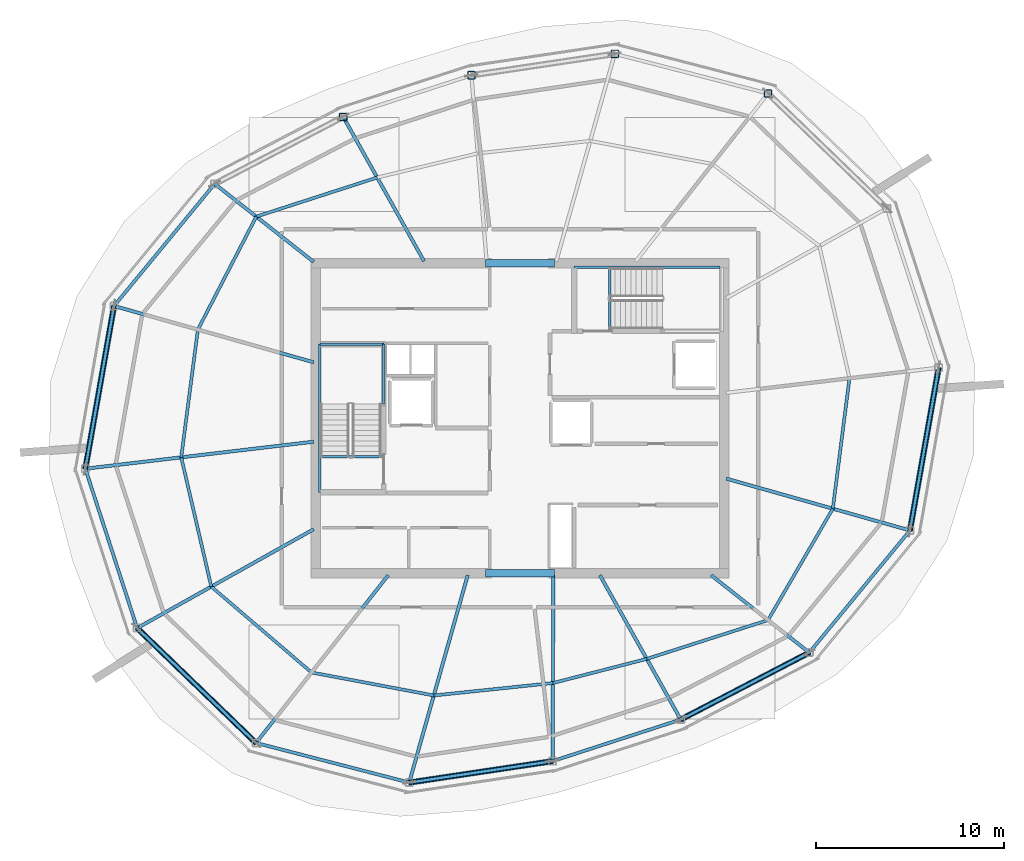
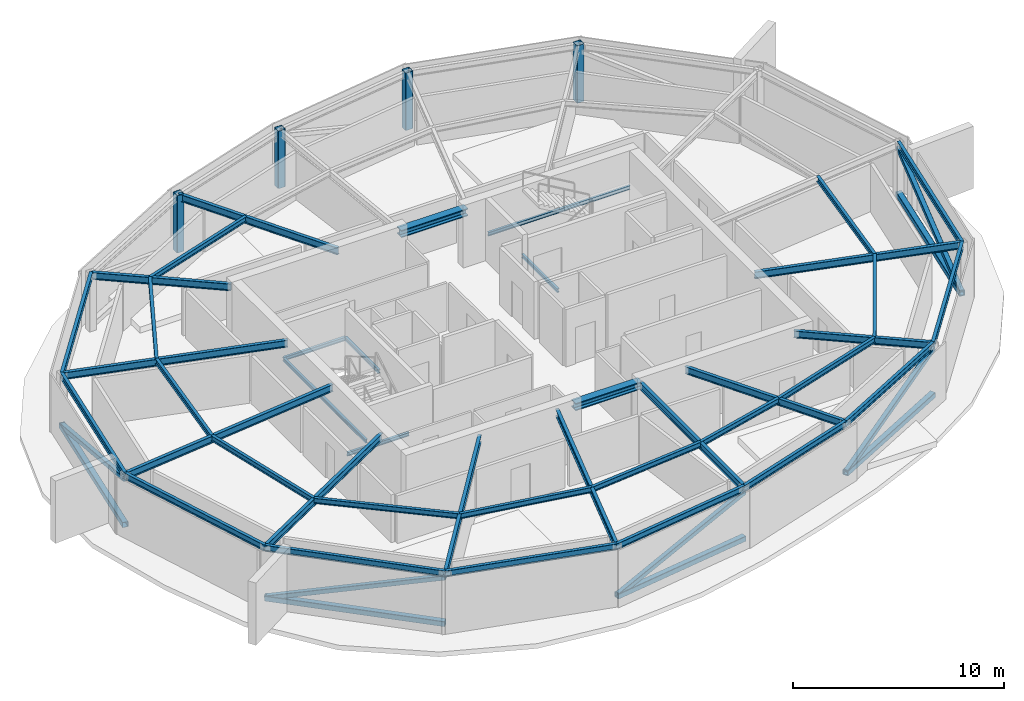
# One storey, part 4 of 10: 40 beams, 10 members, 4 columns.
"""IFC4 building model written with IfcOpenShell, lengths in metres."""

from ifc_helpers import new_model, si_unit, direction, frame, origin, origin_2d, place, context, subcontext, project, spatial, hollow_rectangle, i_section, extrude, material, material_profile, profile_set, type_object, element, save


model = new_model("IFC4")

# Units and contexts
model_context = context("Model", 3, precision=1e-05, world=origin(), true_north=direction((0.0, 1.0)))
body_context = subcontext(model_context, "Body", "Model", "MODEL_VIEW")
ifc_project = project(units=[si_unit("LENGTHUNIT", "METRE"), si_unit("AREAUNIT", "SQUARE_METRE"), si_unit("VOLUMEUNIT", "CUBIC_METRE"), si_unit("PLANEANGLEUNIT", "RADIAN"), si_unit("MASSUNIT", "GRAM", prefix="KILO")], contexts=[model_context])

# Site, building, storey
site_placement = place(None, origin())
site = spatial("IfcSite", under=ifc_project, at=site_placement, CompositionType="ELEMENT")
building_placement = place(site_placement, origin())
building = spatial("IfcBuilding", under=site, at=building_placement, Name="Kazma Halo Residences", CompositionType="ELEMENT")
storey_placement = place(building_placement, frame((0.0, 0.0, 363.199951171875)))
storey = spatial("IfcBuildingStorey", under=building, at=storey_placement, Name="L91", CompositionType="ELEMENT", Elevation=363.199951171875)

# Columns
ifc_material = material(Name="Steel S355", Category="steel")
ifc_material_profile_1 = material_profile(ifc_material, hollow_rectangle(XDim=0.39990234375, YDim=0.39990234375, WallThickness=0.02001953125, InnerFilletRadius=0.02001953125, OuterFilletRadius=0.0400390625, at=origin_2d()), Name="SHS400x400x20")
ifc_profile_set_1 = profile_set([ifc_material_profile_1], Name="Steel S355")
column_type = type_object("IfcColumnType", Name="COL-CROWN-SHS400", PredefinedType="COLUMN", material=ifc_profile_set_1)
for number, where, z_axis, x_axis, name in (
    (1, (61.617431640625, 59.273681640625, 0.0), (0.0, 0.0, 1.0), (1.0, 0.0, 0.0), "L91 CROWN FRAME perimeter column P02"),
    (2, (53.46630859375, 61.38232421875, 0.0), (0.0, 0.0, 1.0), (1.0, 0.0, 0.0), "L91 CROWN FRAME perimeter column P03"),
    (3, (45.8408203125, 60.24365234375, 0.0), (0.0, 0.0, 1.0), (1.0, 0.0, 0.0), "L91 CROWN FRAME perimeter column P04"),
    (4, (39.0234375, 58.02880859375, 0.0), (0.0, 0.0, 1.0), (1.0, 0.0, 0.0), "L91 CROWN FRAME perimeter column P05"),
):
    element("IfcColumn", number, at=place(storey_placement, frame(where, z_axis=z_axis, x_axis=x_axis)), inside=storey, type_object=column_type, Name=name, PredefinedType="COLUMN", context=body_context, shape_type="SweptSolid", body=[
        extrude(hollow_rectangle(XDim=0.39990234375, YDim=0.39990234375, WallThickness=0.02001953125, InnerFilletRadius=0.02001953125, OuterFilletRadius=0.0400390625, at=origin_2d()), origin(), (0.0, 0.0, 1.0), 3.320068359375),
    ])

# Beams
ifc_material_profile_2 = material_profile(ifc_material, i_section(OverallWidth=0.408935546875, OverallDepth=0.425048828125, WebThickness=0.03271484375, FlangeThickness=0.052490234375, FilletRadius=0.02001953125, at=origin_2d()), Name="W360x421")
ifc_profile_set_2 = profile_set([ifc_material_profile_2], Name="Steel S355")
beam_type_1 = type_object("IfcBeamType", Name="BM-CORE-W360H", PredefinedType="BEAM", material=ifc_profile_set_2)
for number, where, z_axis, x_axis, name in (
    (5, (46.60009765625, 33.75, 3.107666015625), (1.0, 0.0, 0.0), (0.0, 1.0, 0.0), "L91 core coupling beam S"),
    (6, (46.60009765625, 50.25, 3.107666015625), (1.0, 0.0, 0.0), (0.0, 1.0, 0.0), "L91 core coupling beam N"),
):
    element("IfcBeam", number, at=place(storey_placement, frame(where, z_axis=z_axis, x_axis=x_axis)), inside=storey, type_object=beam_type_1, Name=name, PredefinedType="BEAM", context=body_context, shape_type="SweptSolid", body=[
        extrude(i_section(OverallWidth=0.408935546875, OverallDepth=0.425048828125, WebThickness=0.03271484375, FlangeThickness=0.052490234375, FilletRadius=0.02001953125, at=origin_2d()), origin(), (0.0, 0.0, 1.0), 3.64990234375),
    ])
ifc_material_profile_3 = material_profile(ifc_material, i_section(OverallWidth=0.177978515625, OverallDepth=0.406982421875, WebThickness=0.0078125, FlangeThickness=0.0126953125, FilletRadius=0.013916015625, at=origin_2d()), Name="W410x60")
ifc_profile_set_3 = profile_set([ifc_material_profile_3], Name="Steel S355")
beam_type_2 = type_object("IfcBeamType", Name="BM-RAD-W410", PredefinedType="BEAM", material=ifc_profile_set_3)
beam_1_placement = place(storey_placement, frame((43.32373046875, 50.35009765625, 3.116455078125), z_axis=(-0.488621952621, 0.872495608824, 0.0), x_axis=(-0.872495608824, -0.488621952621, 0.0)))
element("IfcBeam", 7, at=beam_1_placement, inside=storey, type_object=beam_type_2, Name="L91 radial floor beam 05", PredefinedType="BEAM", context=body_context, shape_type="SweptSolid", body=[
    extrude(i_section(OverallWidth=0.177978515625, OverallDepth=0.406982421875, WebThickness=0.0078125, FlangeThickness=0.0126953125, FilletRadius=0.013916015625, at=origin_2d()), origin(), (0.0, 0.0, 1.0), 8.80078125),
])
beam_2_placement = place(storey_placement, frame((37.449951171875, 50.31689453125, 3.116455078125), z_axis=(-0.785321596803, 0.619088030569, 0.0), x_axis=(-0.619088030569, -0.785321596803, 0.0)))
element("IfcBeam", 8, at=beam_2_placement, inside=storey, type_object=beam_type_2, Name="L91 radial floor beam 06", PredefinedType="BEAM", context=body_context, shape_type="SweptSolid", body=[
    extrude(i_section(OverallWidth=0.177978515625, OverallDepth=0.406982421875, WebThickness=0.0078125, FlangeThickness=0.0126953125, FilletRadius=0.013916015625, at=origin_2d()), origin(), (0.0, 0.0, 1.0), 6.704345703125),
])
beam_3_placement = place(storey_placement, frame((37.449951171875, 44.975341796875, 3.116455078125), z_axis=(-0.962455160106, 0.271440720572, 0.0), x_axis=(-0.271440720572, -0.962455160106, 0.0)))
element("IfcBeam", 9, at=beam_3_placement, inside=storey, type_object=beam_type_2, Name="L91 radial floor beam 07", PredefinedType="BEAM", context=body_context, shape_type="SweptSolid", body=[
    extrude(i_section(OverallWidth=0.177978515625, OverallDepth=0.406982421875, WebThickness=0.0078125, FlangeThickness=0.0126953125, FilletRadius=0.013916015625, at=origin_2d()), origin(), (0.0, 0.0, 1.0), 11.0341796875),
])
beam_4_placement = place(storey_placement, frame((37.449951171875, 40.751220703125, 3.116455078125), z_axis=(-0.993069432883, -0.117529151591, 0.0), x_axis=(0.117529151591, -0.993069432883, 0.0)))
element("IfcBeam", 10, at=beam_4_placement, inside=storey, type_object=beam_type_2, Name="L91 radial floor beam 08", PredefinedType="BEAM", context=body_context, shape_type="SweptSolid", body=[
    extrude(i_section(OverallWidth=0.177978515625, OverallDepth=0.406982421875, WebThickness=0.0078125, FlangeThickness=0.0126953125, FilletRadius=0.013916015625, at=origin_2d()), origin(), (0.0, 0.0, 1.0), 12.23095703125),
])
beam_5_placement = place(storey_placement, frame((37.449951171875, 36.091796875, 3.116455078125), z_axis=(-0.872494798344, -0.488623399832, 0.0), x_axis=(0.488623399832, -0.872494798344, 0.0)))
element("IfcBeam", 11, at=beam_5_placement, inside=storey, type_object=beam_type_2, Name="L91 radial floor beam 09", PredefinedType="BEAM", context=body_context, shape_type="SweptSolid", body=[
    extrude(i_section(OverallWidth=0.177978515625, OverallDepth=0.406982421875, WebThickness=0.0078125, FlangeThickness=0.0126953125, FilletRadius=0.013916015625, at=origin_2d()), origin(), (0.0, 0.0, 1.0), 10.762939453125),
])
beam_6_placement = place(storey_placement, frame((41.41748046875, 33.64990234375, 3.116455078125), z_axis=(-0.619100773028, -0.785311551447, 0.0), x_axis=(0.785311551447, -0.619100773028, 0.0)))
element("IfcBeam", 12, at=beam_6_placement, inside=storey, type_object=beam_type_2, Name="L91 radial floor beam 10", PredefinedType="BEAM", context=body_context, shape_type="SweptSolid", body=[
    extrude(i_section(OverallWidth=0.177978515625, OverallDepth=0.406982421875, WebThickness=0.0078125, FlangeThickness=0.0126953125, FilletRadius=0.013916015625, at=origin_2d()), origin(), (0.0, 0.0, 1.0), 11.363037109375),
])
beam_7_placement = place(storey_placement, frame((45.64501953125, 33.64990234375, 3.116455078125), z_axis=(-0.271433859027, -0.962457095238, 0.0), x_axis=(0.962457095238, -0.271433859027, 0.0)))
element("IfcBeam", 13, at=beam_7_placement, inside=storey, type_object=beam_type_2, Name="L91 radial floor beam 11", PredefinedType="BEAM", context=body_context, shape_type="SweptSolid", body=[
    extrude(i_section(OverallWidth=0.177978515625, OverallDepth=0.406982421875, WebThickness=0.0078125, FlangeThickness=0.0126953125, FilletRadius=0.013916015625, at=origin_2d()), origin(), (0.0, 0.0, 1.0), 11.462646484375),
])
beam_8_placement = place(storey_placement, frame((50.199951171875, 33.64990234375, 3.116455078125), z_axis=(-0.004120979715, -0.999991508727, 0.0), x_axis=(0.999991508727, -0.004120979715, 0.0)))
element("IfcBeam", 14, at=beam_8_placement, inside=storey, type_object=beam_type_2, Name="L91 radial floor beam 12", PredefinedType="BEAM", context=body_context, shape_type="SweptSolid", body=[
    extrude(i_section(OverallWidth=0.177978515625, OverallDepth=0.406982421875, WebThickness=0.0078125, FlangeThickness=0.0126953125, FilletRadius=0.013916015625, at=origin_2d()), origin(), (0.0, 0.0, 1.0), 9.8935546875),
])
beam_9_placement = place(storey_placement, frame((52.67626953125, 33.64990234375, 3.116455078125), z_axis=(0.488621952621, -0.872495608824, 0.0), x_axis=(0.872495608824, 0.488621952621, 0.0)))
element("IfcBeam", 15, at=beam_9_placement, inside=storey, type_object=beam_type_2, Name="L91 radial floor beam 13", PredefinedType="BEAM", context=body_context, shape_type="SweptSolid", body=[
    extrude(i_section(OverallWidth=0.177978515625, OverallDepth=0.406982421875, WebThickness=0.0078125, FlangeThickness=0.0126953125, FilletRadius=0.013916015625, at=origin_2d()), origin(), (0.0, 0.0, 1.0), 8.80078125),
])
beam_10_placement = place(storey_placement, frame((58.591796875, 33.64990234375, 3.116455078125), z_axis=(0.785342950436, -0.619060942234, 0.0), x_axis=(0.619060942234, 0.785342950436, 0.0)))
element("IfcBeam", 16, at=beam_10_placement, inside=storey, type_object=beam_type_2, Name="L91 radial floor beam 14", PredefinedType="BEAM", context=body_context, shape_type="SweptSolid", body=[
    extrude(i_section(OverallWidth=0.177978515625, OverallDepth=0.406982421875, WebThickness=0.0078125, FlangeThickness=0.0126953125, FilletRadius=0.013916015625, at=origin_2d()), origin(), (0.0, 0.0, 1.0), 6.651123046875),
])
beam_11_placement = place(storey_placement, frame((59.39990234375, 38.784912109375, 3.116455078125), z_axis=(0.962456764872, -0.271435030445, 0.0), x_axis=(0.271435030445, 0.962456764872, 0.0)))
element("IfcBeam", 17, at=beam_11_placement, inside=storey, type_object=beam_type_2, Name="L91 radial floor beam 15", PredefinedType="BEAM", context=body_context, shape_type="SweptSolid", body=[
    extrude(i_section(OverallWidth=0.177978515625, OverallDepth=0.406982421875, WebThickness=0.0078125, FlangeThickness=0.0126953125, FilletRadius=0.013916015625, at=origin_2d()), origin(), (0.0, 0.0, 1.0), 10.151123046875),
])
ifc_material_profile_4 = material_profile(ifc_material, i_section(OverallWidth=0.1650390625, OverallDepth=0.31005859375, WebThickness=0.005859375, FlangeThickness=0.009765625, FilletRadius=0.011962890625, at=origin_2d()), Name="W310x38.7")
ifc_profile_set_4 = profile_set([ifc_material_profile_4], Name="Steel S355")
beam_type_3 = type_object("IfcBeamType", Name="BM-SEC-W310B", PredefinedType="JOIST", material=ifc_profile_set_4)
beam_12_placement = place(storey_placement, frame((40.82958984375, 54.8037109375, 3.1650390625), z_axis=(-0.951532506418, -0.307548190094, 0.0), x_axis=(0.307548190094, -0.951532506418, 0.0)))
element("IfcBeam", 18, at=beam_12_placement, inside=storey, type_object=beam_type_3, Name="L91 circumferential floor joist 05", PredefinedType="JOIST", context=body_context, shape_type="SweptSolid", body=[
    extrude(i_section(OverallWidth=0.1650390625, OverallDepth=0.31005859375, WebThickness=0.005859375, FlangeThickness=0.009765625, FilletRadius=0.011962890625, at=origin_2d()), origin(), (0.0, 0.0, 1.0), 6.760986328125),
])
beam_13_placement = place(storey_placement, frame((34.396240234375, 52.724365234375, 3.1650390625), z_axis=(-0.458980181698, -0.888446505316, 0.0), x_axis=(0.888446505316, -0.458980181698, 0.0)))
element("IfcBeam", 19, at=beam_13_placement, inside=storey, type_object=beam_type_3, Name="L91 circumferential floor joist 06", PredefinedType="JOIST", context=body_context, shape_type="SweptSolid", body=[
    extrude(i_section(OverallWidth=0.1650390625, OverallDepth=0.31005859375, WebThickness=0.005859375, FlangeThickness=0.009765625, FilletRadius=0.011962890625, at=origin_2d()), origin(), (0.0, 0.0, 1.0), 6.7666015625),
])
beam_14_placement = place(storey_placement, frame((31.29052734375, 46.712646484375, 3.1650390625), z_axis=(-0.129220381174, -0.991615899978, 0.0), x_axis=(0.991615899978, -0.129220381174, 0.0)))
element("IfcBeam", 20, at=beam_14_placement, inside=storey, type_object=beam_type_3, Name="L91 circumferential floor joist 07", PredefinedType="JOIST", context=body_context, shape_type="SweptSolid", body=[
    extrude(i_section(OverallWidth=0.1650390625, OverallDepth=0.31005859375, WebThickness=0.005859375, FlangeThickness=0.009765625, FilletRadius=0.011962890625, at=origin_2d()), origin(), (0.0, 0.0, 1.0), 6.8525390625),
])
beam_15_placement = place(storey_placement, frame((30.405029296875, 39.91748046875, 3.1650390625), z_axis=(0.22642269465, -0.97402913886, 0.0), x_axis=(0.97402913886, 0.22642269465, 0.0)))
element("IfcBeam", 21, at=beam_15_placement, inside=storey, type_object=beam_type_3, Name="L91 circumferential floor joist 08", PredefinedType="JOIST", context=body_context, shape_type="SweptSolid", body=[
    extrude(i_section(OverallWidth=0.1650390625, OverallDepth=0.31005859375, WebThickness=0.005859375, FlangeThickness=0.009765625, FilletRadius=0.011962890625, at=origin_2d()), origin(), (0.0, 0.0, 1.0), 7.059326171875),
])
beam_16_placement = place(storey_placement, frame((32.00341796875, 33.04150390625, 3.1650390625), z_axis=(0.759582919789, -0.650410476518, 0.0), x_axis=(0.650410476518, 0.759582919789, 0.0)))
element("IfcBeam", 22, at=beam_16_placement, inside=storey, type_object=beam_type_3, Name="L91 circumferential floor joist 09", PredefinedType="JOIST", context=body_context, shape_type="SweptSolid", body=[
    extrude(i_section(OverallWidth=0.1650390625, OverallDepth=0.31005859375, WebThickness=0.005859375, FlangeThickness=0.009765625, FilletRadius=0.011962890625, at=origin_2d()), origin(), (0.0, 0.0, 1.0), 7.02197265625),
])
beam_17_placement = place(storey_placement, frame((37.337158203125, 28.474365234375, 3.1650390625), z_axis=(0.982768028721, -0.184843181435, 0.0), x_axis=(0.184843181435, 0.982768028721, 0.0)))
element("IfcBeam", 23, at=beam_17_placement, inside=storey, type_object=beam_type_3, Name="L91 circumferential floor joist 10", PredefinedType="JOIST", context=body_context, shape_type="SweptSolid", body=[
    extrude(i_section(OverallWidth=0.1650390625, OverallDepth=0.31005859375, WebThickness=0.005859375, FlangeThickness=0.009765625, FilletRadius=0.011962890625, at=origin_2d()), origin(), (0.0, 0.0, 1.0), 6.6171875),
])
beam_18_placement = place(storey_placement, frame((43.84033203125, 27.251220703125, 3.1650390625), z_axis=(0.994612236518, 0.10366532192, 0.0), x_axis=(-0.10366532192, 0.994612236518, 0.0)))
element("IfcBeam", 24, at=beam_18_placement, inside=storey, type_object=beam_type_3, Name="L91 circumferential floor joist 11", PredefinedType="JOIST", context=body_context, shape_type="SweptSolid", body=[
    extrude(i_section(OverallWidth=0.1650390625, OverallDepth=0.31005859375, WebThickness=0.005859375, FlangeThickness=0.009765625, FilletRadius=0.011962890625, at=origin_2d()), origin(), (0.0, 0.0, 1.0), 6.37060546875),
])
beam_19_placement = place(storey_placement, frame((50.176513671875, 27.91162109375, 3.1650390625), z_axis=(0.96846845721, 0.249136202485, 0.0), x_axis=(-0.249136202485, 0.96846845721, 0.0)))
element("IfcBeam", 25, at=beam_19_placement, inside=storey, type_object=beam_type_3, Name="L91 circumferential floor joist 12", PredefinedType="JOIST", context=body_context, shape_type="SweptSolid", body=[
    extrude(i_section(OverallWidth=0.1650390625, OverallDepth=0.31005859375, WebThickness=0.005859375, FlangeThickness=0.009765625, FilletRadius=0.011962890625, at=origin_2d()), origin(), (0.0, 0.0, 1.0), 5.156494140625),
])
beam_20_placement = place(storey_placement, frame((55.17041015625, 29.1962890625, 3.1650390625), z_axis=(0.952375588957, 0.304927429988, 0.0), x_axis=(-0.304927429988, 0.952375588957, 0.0)))
element("IfcBeam", 26, at=beam_20_placement, inside=storey, type_object=beam_type_3, Name="L91 circumferential floor joist 13", PredefinedType="JOIST", context=body_context, shape_type="SweptSolid", body=[
    extrude(i_section(OverallWidth=0.1650390625, OverallDepth=0.31005859375, WebThickness=0.005859375, FlangeThickness=0.009765625, FilletRadius=0.011962890625, at=origin_2d()), origin(), (0.0, 0.0, 1.0), 6.7734375),
])
beam_21_placement = place(storey_placement, frame((61.621337890625, 31.26171875, 3.1650390625), z_axis=(0.502650174973, 0.864489908327, 0.0), x_axis=(-0.864489908327, 0.502650174973, 0.0)))
element("IfcBeam", 27, at=beam_21_placement, inside=storey, type_object=beam_type_3, Name="L91 circumferential floor joist 14", PredefinedType="JOIST", context=body_context, shape_type="SweptSolid", body=[
    extrude(i_section(OverallWidth=0.1650390625, OverallDepth=0.31005859375, WebThickness=0.005859375, FlangeThickness=0.009765625, FilletRadius=0.011962890625, at=origin_2d()), origin(), (0.0, 0.0, 1.0), 6.853759765625),
])
beam_22_placement = place(storey_placement, frame((65.06640625, 37.186767578125, 3.1650390625), z_axis=(0.126603386769, 0.991953417484, 0.0), x_axis=(-0.991953417484, 0.126603386769, 0.0)))
element("IfcBeam", 28, at=beam_22_placement, inside=storey, type_object=beam_type_3, Name="L91 circumferential floor joist 15", PredefinedType="JOIST", context=body_context, shape_type="SweptSolid", body=[
    extrude(i_section(OverallWidth=0.1650390625, OverallDepth=0.31005859375, WebThickness=0.005859375, FlangeThickness=0.009765625, FilletRadius=0.011962890625, at=origin_2d()), origin(), (0.0, 0.0, 1.0), 6.994384765625),
])
ifc_material_profile_5 = material_profile(ifc_material, i_section(OverallWidth=0.1708984375, OverallDepth=0.35498046875, WebThickness=0.007080078125, FlangeThickness=0.01171875, FilletRadius=0.013916015625, at=origin_2d()), Name="W360x51")
ifc_profile_set_5 = profile_set([ifc_material_profile_5], Name="Steel S355")
beam_type_4 = type_object("IfcBeamType", Name="BM-SPN-W360", PredefinedType="BEAM", material=ifc_profile_set_5)
beam_23_placement = place(storey_placement, frame((32.184814453125, 54.467529296875, 3.142578125), z_axis=(-0.636005014199, -0.77168492399, 0.0), x_axis=(0.77168492399, -0.636005014199, 0.0)))
element("IfcBeam", 29, at=beam_23_placement, inside=storey, type_object=beam_type_4, Name="L91 CROWN FRAME ring beam 06", PredefinedType="BEAM", context=body_context, shape_type="SweptSolid", body=[
    extrude(i_section(OverallWidth=0.1708984375, OverallDepth=0.35498046875, WebThickness=0.007080078125, FlangeThickness=0.01171875, FilletRadius=0.013916015625, at=origin_2d()), origin(), (0.0, 0.0, 1.0), 8.41943359375),
])
beam_24_placement = place(storey_placement, frame((26.830078125, 47.970458984375, 3.142578125), z_axis=(-0.173642734291, -0.984808712811, 0.0), x_axis=(0.984808712811, -0.173642734291, 0.0)))
element("IfcBeam", 30, at=beam_24_placement, inside=storey, type_object=beam_type_4, Name="L91 CROWN FRAME ring beam 07", PredefinedType="BEAM", context=body_context, shape_type="SweptSolid", body=[
    extrude(i_section(OverallWidth=0.1708984375, OverallDepth=0.35498046875, WebThickness=0.007080078125, FlangeThickness=0.01171875, FilletRadius=0.013916015625, at=origin_2d()), origin(), (0.0, 0.0, 1.0), 8.790283203125),
])
beam_25_placement = place(storey_placement, frame((25.3037109375, 39.313720703125, 3.142578125), z_axis=(0.309015498459, -0.951057002346, 0.0), x_axis=(0.951057002346, 0.309015498459, 0.0)))
element("IfcBeam", 31, at=beam_25_placement, inside=storey, type_object=beam_type_4, Name="L91 CROWN FRAME ring beam 08", PredefinedType="BEAM", context=body_context, shape_type="SweptSolid", body=[
    extrude(i_section(OverallWidth=0.1708984375, OverallDepth=0.35498046875, WebThickness=0.007080078125, FlangeThickness=0.01171875, FilletRadius=0.013916015625, at=origin_2d()), origin(), (0.0, 0.0, 1.0), 8.91748046875),
])
beam_26_placement = place(storey_placement, frame((28.059326171875, 30.832763671875, 3.142578125), z_axis=(0.719330630477, -0.694667866003, 0.0), x_axis=(0.694667866003, 0.719330630477, 0.0)))
element("IfcBeam", 32, at=beam_26_placement, inside=storey, type_object=beam_type_4, Name="L91 CROWN FRAME ring beam 09", PredefinedType="BEAM", context=body_context, shape_type="SweptSolid", body=[
    extrude(i_section(OverallWidth=0.1708984375, OverallDepth=0.35498046875, WebThickness=0.007080078125, FlangeThickness=0.01171875, FilletRadius=0.013916015625, at=origin_2d()), origin(), (0.0, 0.0, 1.0), 8.79052734375),
])
beam_27_placement = place(storey_placement, frame((34.382568359375, 24.726318359375, 3.142578125), z_axis=(0.968129821283, -0.250448895271, 0.0), x_axis=(0.250448895271, 0.968129821283, 0.0)))
element("IfcBeam", 33, at=beam_27_placement, inside=storey, type_object=beam_type_4, Name="L91 CROWN FRAME ring beam 10", PredefinedType="BEAM", context=body_context, shape_type="SweptSolid", body=[
    extrude(i_section(OverallWidth=0.1708984375, OverallDepth=0.35498046875, WebThickness=0.007080078125, FlangeThickness=0.01171875, FilletRadius=0.013916015625, at=origin_2d()), origin(), (0.0, 0.0, 1.0), 8.41943359375),
])
beam_28_placement = place(storey_placement, frame((42.53369140625, 22.61767578125, 3.142578125), z_axis=(0.989034152337, 0.147686984904, 0.0), x_axis=(-0.147686984904, 0.989034152337, 0.0)))
element("IfcBeam", 34, at=beam_28_placement, inside=storey, type_object=beam_type_4, Name="L91 CROWN FRAME ring beam 11", PredefinedType="BEAM", context=body_context, shape_type="SweptSolid", body=[
    extrude(i_section(OverallWidth=0.1708984375, OverallDepth=0.35498046875, WebThickness=0.007080078125, FlangeThickness=0.01171875, FilletRadius=0.013916015625, at=origin_2d()), origin(), (0.0, 0.0, 1.0), 7.7099609375),
])
beam_29_placement = place(storey_placement, frame((50.1591796875, 23.75634765625, 3.142578125), z_axis=(0.951067102, 0.308984413026, 0.0), x_axis=(-0.308984413026, 0.951067102, 0.0)))
element("IfcBeam", 35, at=beam_29_placement, inside=storey, type_object=beam_type_4, Name="L91 CROWN FRAME ring beam 12", PredefinedType="BEAM", context=body_context, shape_type="SweptSolid", body=[
    extrude(i_section(OverallWidth=0.1708984375, OverallDepth=0.35498046875, WebThickness=0.007080078125, FlangeThickness=0.01171875, FilletRadius=0.013916015625, at=origin_2d()), origin(), (0.0, 0.0, 1.0), 7.168212890625),
])
beam_30_placement = place(storey_placement, frame((56.9765625, 25.97119140625, 3.142578125), z_axis=(0.886940838721, 0.461883046461, 0.0), x_axis=(-0.461883046461, 0.886940838721, 0.0)))
element("IfcBeam", 36, at=beam_30_placement, inside=storey, type_object=beam_type_4, Name="L91 CROWN FRAME ring beam 13", PredefinedType="BEAM", context=body_context, shape_type="SweptSolid", body=[
    extrude(i_section(OverallWidth=0.1708984375, OverallDepth=0.35498046875, WebThickness=0.007080078125, FlangeThickness=0.01171875, FilletRadius=0.013916015625, at=origin_2d()), origin(), (0.0, 0.0, 1.0), 7.71044921875),
])
beam_31_placement = place(storey_placement, frame((63.815185546875, 29.532470703125, 3.142578125), z_axis=(0.636005014199, 0.77168492399, 0.0), x_axis=(-0.77168492399, 0.636005014199, 0.0)))
element("IfcBeam", 37, at=beam_31_placement, inside=storey, type_object=beam_type_4, Name="L91 CROWN FRAME ring beam 14", PredefinedType="BEAM", context=body_context, shape_type="SweptSolid", body=[
    extrude(i_section(OverallWidth=0.1708984375, OverallDepth=0.35498046875, WebThickness=0.007080078125, FlangeThickness=0.01171875, FilletRadius=0.013916015625, at=origin_2d()), origin(), (0.0, 0.0, 1.0), 8.41943359375),
])
beam_32_placement = place(storey_placement, frame((69.169921875, 36.029541015625, 3.142578125), z_axis=(0.173642734291, 0.984808712811, 0.0), x_axis=(-0.984808712811, 0.173642734291, 0.0)))
element("IfcBeam", 38, at=beam_32_placement, inside=storey, type_object=beam_type_4, Name="L91 CROWN FRAME ring beam 15", PredefinedType="BEAM", context=body_context, shape_type="SweptSolid", body=[
    extrude(i_section(OverallWidth=0.1708984375, OverallDepth=0.35498046875, WebThickness=0.007080078125, FlangeThickness=0.01171875, FilletRadius=0.013916015625, at=origin_2d()), origin(), (0.0, 0.0, 1.0), 8.790283203125),
])
ifc_material_profile_6 = material_profile(ifc_material, i_section(OverallWidth=0.133056640625, OverallDepth=0.20703125, WebThickness=0.005859375, FlangeThickness=0.00830078125, FilletRadius=0.010009765625, at=origin_2d()), Name="W200x26.6")
ifc_profile_set_6 = profile_set([ifc_material_profile_6], Name="Steel S355")
beam_type_5 = type_object("IfcBeamType", Name="BM-TRIM-W200", PredefinedType="BEAM", material=ifc_profile_set_6)
for number, where, z_axis, x_axis, name in (
    (39, (37.800048828125, 39.949951171875, -0.389892578125), (1.0, 0.0, 0.0), (0.0, 1.0, 0.0), "L91 ST-01 floor landing support beam"),
    (40, (53.199951171875, 46.6201171875, -0.389892578125), (0.0, 1.0, 0.0), (-1.0, 0.0, 0.0), "L91 ST-02 floor landing support beam"),
):
    element("IfcBeam", number, at=place(storey_placement, frame(where, z_axis=z_axis, x_axis=x_axis)), inside=storey, type_object=beam_type_5, Name=name, PredefinedType="BEAM", context=body_context, shape_type="SweptSolid", body=[
        extrude(i_section(OverallWidth=0.133056640625, OverallDepth=0.20703125, WebThickness=0.005859375, FlangeThickness=0.00830078125, FilletRadius=0.010009765625, at=origin_2d()), origin(), (0.0, 0.0, 1.0), 3.3798828125),
    ])
beam_33_placement = place(storey_placement, frame((37.780029296875, 38.06005859375, 1.4951171875), z_axis=(0.0, 1.0, 0.0), x_axis=(-1.0, 0.0, 0.0)))
element("IfcBeam", 41, at=beam_33_placement, inside=storey, type_object=beam_type_5, Name="L91 ST-01 landing west wall ledger", PredefinedType="BEAM", context=body_context, shape_type="SweptSolid", body=[
    extrude(i_section(OverallWidth=0.133056640625, OverallDepth=0.20703125, WebThickness=0.005859375, FlangeThickness=0.00830078125, FilletRadius=0.010009765625, at=origin_2d()), origin(), (0.0, 0.0, 1.0), 7.8798828125),
])
beam_34_placement = place(storey_placement, frame((41.179931640625, 42.75, 1.4951171875), z_axis=(0.0, 1.0, 0.0), x_axis=(-1.0, 0.0, 0.0)))
element("IfcBeam", 42, at=beam_34_placement, inside=storey, type_object=beam_type_5, Name="L91 ST-01 landing east wall ledger", PredefinedType="BEAM", context=body_context, shape_type="SweptSolid", body=[
    extrude(i_section(OverallWidth=0.133056640625, OverallDepth=0.20703125, WebThickness=0.005859375, FlangeThickness=0.00830078125, FilletRadius=0.010009765625, at=origin_2d()), origin(), (0.0, 0.0, 1.0), 3.18994140625),
])
beam_35_placement = place(storey_placement, frame((37.780029296875, 45.93994140625, 1.4951171875), z_axis=(1.0, 0.0, 0.0), x_axis=(0.0, 1.0, 0.0)))
element("IfcBeam", 43, at=beam_35_placement, inside=storey, type_object=beam_type_5, Name="L91 ST-01 landing end wall ledger", PredefinedType="BEAM", context=body_context, shape_type="SweptSolid", body=[
    extrude(i_section(OverallWidth=0.133056640625, OverallDepth=0.20703125, WebThickness=0.005859375, FlangeThickness=0.00830078125, FilletRadius=0.010009765625, at=origin_2d()), origin(), (0.0, 0.0, 1.0), 3.39990234375),
])
beam_36_placement = place(storey_placement, frame((51.31005859375, 50.02001953125, 1.4951171875), z_axis=(1.0, 0.0, 0.0), x_axis=(0.0, 1.0, 0.0)))
element("IfcBeam", 44, at=beam_36_placement, inside=storey, type_object=beam_type_5, Name="L91 ST-02 landing north wall ledger", PredefinedType="BEAM", context=body_context, shape_type="SweptSolid", body=[
    extrude(i_section(OverallWidth=0.133056640625, OverallDepth=0.20703125, WebThickness=0.005859375, FlangeThickness=0.00830078125, FilletRadius=0.010009765625, at=origin_2d()), origin(), (0.0, 0.0, 1.0), 7.760009765625),
])

# Members
ifc_material_profile_7 = material_profile(ifc_material, hollow_rectangle(XDim=0.25, YDim=0.25, WallThickness=0.010009765625, InnerFilletRadius=0.010009765625, OuterFilletRadius=0.02001953125, at=origin_2d()), Name="SHS250x250x10")
ifc_profile_set_7 = profile_set([ifc_material_profile_7], Name="Steel S355")
member_type_1 = type_object("IfcMemberType", Name="MBR-CRWN-SHS250", PredefinedType="BRACE", material=ifc_profile_set_7)
member_1_placement = place(storey_placement, frame((26.830078125, 47.970458984375, 0.280029296875), z_axis=(-0.166200300203, -0.942599207388, 0.289627682455), x_axis=(0.984808712811, -0.173642734291, 0.0)))
element("IfcMember", 45, at=member_1_placement, inside=storey, type_object=member_type_1, Name="L91 CROWN FRAME diagonal brace 07", PredefinedType="BRACE", context=body_context, shape_type="SweptSolid", body=[
    extrude(hollow_rectangle(XDim=0.25, YDim=0.25, WallThickness=0.010009765625, InnerFilletRadius=0.010009765625, OuterFilletRadius=0.02001953125, at=origin_2d()), origin(), (0.0, 0.0, 1.0), 9.183837890625),
])
member_2_placement = place(storey_placement, frame((28.059326171875, 30.832763671875, 0.280029296875), z_axis=(0.688500856282, -0.664895112638, 0.289622271397), x_axis=(0.694667866003, 0.719330630477, 0.0)))
element("IfcMember", 46, at=member_2_placement, inside=storey, type_object=member_type_1, Name="L91 CROWN FRAME diagonal brace 09", PredefinedType="BRACE", context=body_context, shape_type="SweptSolid", body=[
    extrude(hollow_rectangle(XDim=0.25, YDim=0.25, WallThickness=0.010009765625, InnerFilletRadius=0.010009765625, OuterFilletRadius=0.02001953125, at=origin_2d()), origin(), (0.0, 0.0, 1.0), 9.18408203125),
])
member_3_placement = place(storey_placement, frame((42.53369140625, 22.61767578125, 0.280029296875), z_axis=(0.934958348146, 0.139612144962, 0.326130857497), x_axis=(-0.147686984904, 0.989034152337, 0.0)))
element("IfcMember", 47, at=member_3_placement, inside=storey, type_object=member_type_1, Name="L91 CROWN FRAME diagonal brace 11", PredefinedType="BRACE", context=body_context, shape_type="SweptSolid", body=[
    extrude(hollow_rectangle(XDim=0.25, YDim=0.25, WallThickness=0.010009765625, InnerFilletRadius=0.010009765625, OuterFilletRadius=0.02001953125, at=origin_2d()), origin(), (0.0, 0.0, 1.0), 8.156005859375),
])
member_4_placement = place(storey_placement, frame((56.9765625, 25.97119140625, 0.280029296875), z_axis=(0.838450646682, 0.436631308527, 0.326119017372), x_axis=(-0.461883046461, 0.886940838721, 0.0)))
element("IfcMember", 48, at=member_4_placement, inside=storey, type_object=member_type_1, Name="L91 CROWN FRAME diagonal brace 13", PredefinedType="BRACE", context=body_context, shape_type="SweptSolid", body=[
    extrude(hollow_rectangle(XDim=0.25, YDim=0.25, WallThickness=0.010009765625, InnerFilletRadius=0.010009765625, OuterFilletRadius=0.02001953125, at=origin_2d()), origin(), (0.0, 0.0, 1.0), 8.15625),
])
member_5_placement = place(storey_placement, frame((69.169921875, 36.029541015625, 0.280029296875), z_axis=(0.166200300203, 0.942599207388, 0.289627682455), x_axis=(-0.984808712811, 0.173642734291, 0.0)))
element("IfcMember", 49, at=member_5_placement, inside=storey, type_object=member_type_1, Name="L91 CROWN FRAME diagonal brace 15", PredefinedType="BRACE", context=body_context, shape_type="SweptSolid", body=[
    extrude(hollow_rectangle(XDim=0.25, YDim=0.25, WallThickness=0.010009765625, InnerFilletRadius=0.010009765625, OuterFilletRadius=0.02001953125, at=origin_2d()), origin(), (0.0, 0.0, 1.0), 9.183837890625),
])
ifc_material_profile_8 = material_profile(ifc_material, hollow_rectangle(XDim=0.300048828125, YDim=0.300048828125, WallThickness=0.012451171875, InnerFilletRadius=0.012451171875, OuterFilletRadius=0.02490234375, at=origin_2d()), Name="SHS300x300x12.5")
ifc_profile_set_8 = profile_set([ifc_material_profile_8], Name="Steel S355")
member_type_2 = type_object("IfcMemberType", Name="MBR-CRWN-SHS300", PredefinedType="CHORD", material=ifc_profile_set_8)
member_6_placement = place(storey_placement, frame((26.830078125, 47.970458984375, 0.280029296875), z_axis=(-0.173642734291, -0.984808712811, 0.0), x_axis=(0.984808712811, -0.173642734291, 0.0)))
element("IfcMember", 50, at=member_6_placement, inside=storey, type_object=member_type_2, Name="L91 CROWN FRAME horizontal ring chord 07", PredefinedType="CHORD", context=body_context, shape_type="SweptSolid", body=[
    extrude(hollow_rectangle(XDim=0.300048828125, YDim=0.300048828125, WallThickness=0.012451171875, InnerFilletRadius=0.012451171875, OuterFilletRadius=0.02490234375, at=origin_2d()), origin(), (0.0, 0.0, 1.0), 8.790283203125),
])
member_7_placement = place(storey_placement, frame((28.059326171875, 30.832763671875, 0.280029296875), z_axis=(0.719330630477, -0.694667866003, 0.0), x_axis=(0.694667866003, 0.719330630477, 0.0)))
element("IfcMember", 51, at=member_7_placement, inside=storey, type_object=member_type_2, Name="L91 CROWN FRAME horizontal ring chord 09", PredefinedType="CHORD", context=body_context, shape_type="SweptSolid", body=[
    extrude(hollow_rectangle(XDim=0.300048828125, YDim=0.300048828125, WallThickness=0.012451171875, InnerFilletRadius=0.012451171875, OuterFilletRadius=0.02490234375, at=origin_2d()), origin(), (0.0, 0.0, 1.0), 8.79052734375),
])
member_8_placement = place(storey_placement, frame((42.53369140625, 22.61767578125, 0.280029296875), z_axis=(0.989034152337, 0.147686984904, 0.0), x_axis=(-0.147686984904, 0.989034152337, 0.0)))
element("IfcMember", 52, at=member_8_placement, inside=storey, type_object=member_type_2, Name="L91 CROWN FRAME horizontal ring chord 11", PredefinedType="CHORD", context=body_context, shape_type="SweptSolid", body=[
    extrude(hollow_rectangle(XDim=0.300048828125, YDim=0.300048828125, WallThickness=0.012451171875, InnerFilletRadius=0.012451171875, OuterFilletRadius=0.02490234375, at=origin_2d()), origin(), (0.0, 0.0, 1.0), 7.7099609375),
])
member_9_placement = place(storey_placement, frame((56.9765625, 25.97119140625, 0.280029296875), z_axis=(0.886940838721, 0.461883046461, 0.0), x_axis=(-0.461883046461, 0.886940838721, 0.0)))
element("IfcMember", 53, at=member_9_placement, inside=storey, type_object=member_type_2, Name="L91 CROWN FRAME horizontal ring chord 13", PredefinedType="CHORD", context=body_context, shape_type="SweptSolid", body=[
    extrude(hollow_rectangle(XDim=0.300048828125, YDim=0.300048828125, WallThickness=0.012451171875, InnerFilletRadius=0.012451171875, OuterFilletRadius=0.02490234375, at=origin_2d()), origin(), (0.0, 0.0, 1.0), 7.71044921875),
])
member_10_placement = place(storey_placement, frame((69.169921875, 36.029541015625, 0.280029296875), z_axis=(0.173642734291, 0.984808712811, 0.0), x_axis=(-0.984808712811, 0.173642734291, 0.0)))
element("IfcMember", 54, at=member_10_placement, inside=storey, type_object=member_type_2, Name="L91 CROWN FRAME horizontal ring chord 15", PredefinedType="CHORD", context=body_context, shape_type="SweptSolid", body=[
    extrude(hollow_rectangle(XDim=0.300048828125, YDim=0.300048828125, WallThickness=0.012451171875, InnerFilletRadius=0.012451171875, OuterFilletRadius=0.02490234375, at=origin_2d()), origin(), (0.0, 0.0, 1.0), 8.790283203125),
])

save(model, "model.ifc")
